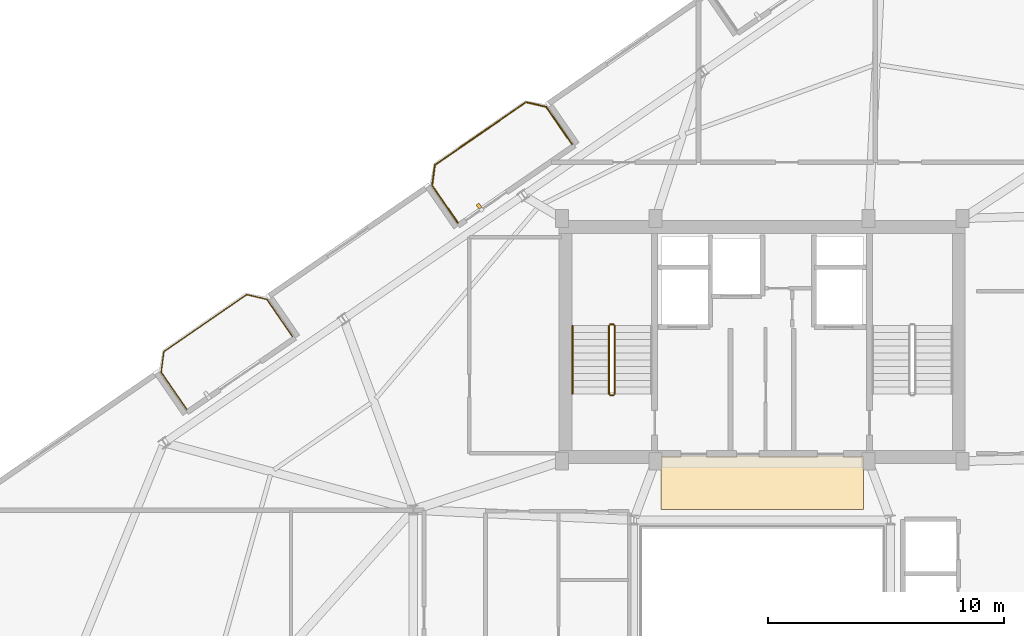
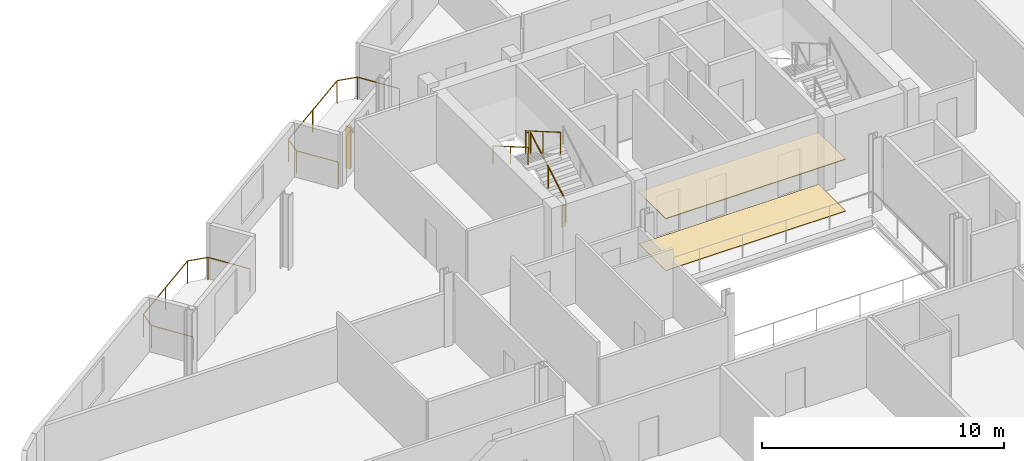
# One storey, part 20 of 21: 7 railings, 2 coverings, 1 shading device.
"""IFC4 building model written with IfcOpenShell, lengths in metres."""

from ifc_helpers import new_model, si_unit, direction, frame, origin, origin_2d, place, context, subcontext, project, spatial, rectangle, circle, extrude, source, transform, mapped, material, layer, layer_set, type_object, element, save


model = new_model("IFC4")

# Units and contexts
model_context = context("Model", 3, precision=1e-05, world=origin(), true_north=direction((0.0, 1.0)))
body_context = subcontext(model_context, "Body", "Model", "MODEL_VIEW")
ifc_project = project(units=[si_unit("LENGTHUNIT", "METRE"), si_unit("AREAUNIT", "SQUARE_METRE"), si_unit("VOLUMEUNIT", "CUBIC_METRE"), si_unit("PLANEANGLEUNIT", "RADIAN"), si_unit("MASSUNIT", "GRAM", prefix="KILO")], contexts=[model_context])

# Site, building, storey
site_placement = place(None, origin())
site = spatial("IfcSite", under=ifc_project, at=site_placement, CompositionType="ELEMENT")
building_placement = place(site_placement, origin())
building = spatial("IfcBuilding", under=site, at=building_placement, Name="Varnelok Gate Tower", CompositionType="ELEMENT")
storey_placement = place(building_placement, frame((0.0, 0.0, 261.89990234375)))
storey = spatial("IfcBuildingStorey", under=building, at=storey_placement, Name="L67", CompositionType="ELEMENT", Elevation=261.89990234375)

# Railings
ifc_material_1 = material(Name="Low-E Laminated Double Glazing IGU", Category="glass")
railing_type_1 = type_object("IfcRailingType", Name="RL-BALC-1150", PredefinedType="BALUSTRADE", material=ifc_material_1)
railing_1_placement = place(storey_placement, frame((14.781982421875, 30.944580078125, 0.0)))
element("IfcRailing", 1, at=railing_1_placement, inside=storey, type_object=railing_type_1, Name="L67 North Terrace Balustrade 4", PredefinedType="BALUSTRADE", context=body_context, shape_type="SweptSolid", body=[
    extrude(circle(Radius=0.02392578125, at=origin_2d()), frame((0.0, 0.0, 1.1259765625), z_axis=(-0.567284155424, 0.82352212296, 0.0), x_axis=(-0.82352212296, -0.567284155424, 0.0)), (0.0, 0.0, 1.0), 1.919921875),
    extrude(circle(Radius=0.02392578125, at=origin_2d()), frame((-1.089111328125, 1.5810546875, 1.1259765625), z_axis=(0.133475040405, 0.991052175008, 0.0), x_axis=(-0.991052175008, 0.133475040405, 0.0)), (0.0, 0.0, 1.0), 0.8779296875),
    extrude(circle(Radius=0.02392578125, at=origin_2d()), frame((-0.971923828125, 2.451171875, 1.1259765625), z_axis=(0.82355749358, 0.567232804735, 0.0), x_axis=(-0.567232804735, 0.82355749358, 0.0)), (0.0, 0.0, 1.0), 4.26708984375),
    extrude(circle(Radius=0.02392578125, at=origin_2d()), frame((2.542236328125, 4.87158203125, 1.1259765625), z_axis=(0.973511928193, -0.228636229993, 0.0), x_axis=(0.228636229993, 0.973511928193, 0.0)), (0.0, 0.0, 1.0), 0.877685546875),
    extrude(circle(Radius=0.02392578125, at=origin_2d()), frame((3.396728515625, 4.6708984375, 1.1259765625), z_axis=(0.567284155424, -0.82352212296, 0.0), x_axis=(0.82352212296, 0.567284155424, 0.0)), (0.0, 0.0, 1.0), 1.919921875),
    extrude(circle(Radius=0.02099609375, at=origin_2d()), origin(), (0.0, 0.0, 1.0), 1.101806640625),
    extrude(circle(Radius=0.02099609375, at=origin_2d()), frame((-1.089111328125, 1.5810546875, 0.0)), (0.0, 0.0, 1.0), 1.101806640625),
    extrude(circle(Radius=0.02099609375, at=origin_2d()), frame((-0.971923828125, 2.451171875, 0.0)), (0.0, 0.0, 1.0), 1.101806640625),
    extrude(circle(Radius=0.02099609375, at=origin_2d()), frame((0.78515625, 3.661376953125, 0.0)), (0.0, 0.0, 1.0), 1.101806640625),
    extrude(circle(Radius=0.02099609375, at=origin_2d()), frame((2.542236328125, 4.87158203125, 0.0)), (0.0, 0.0, 1.0), 1.101806640625),
    extrude(circle(Radius=0.02099609375, at=origin_2d()), frame((3.396728515625, 4.6708984375, 0.0)), (0.0, 0.0, 1.0), 1.101806640625),
    extrude(circle(Radius=0.02099609375, at=origin_2d()), frame((4.48583984375, 3.08984375, 0.0)), (0.0, 0.0, 1.0), 1.101806640625),
])
railing_2_placement = place(storey_placement, frame((26.2841796875, 38.86767578125, 0.0)))
element("IfcRailing", 2, at=railing_2_placement, inside=storey, type_object=railing_type_1, Name="L67 North Terrace Balustrade 5", PredefinedType="BALUSTRADE", context=body_context, shape_type="SweptSolid", body=[
    extrude(circle(Radius=0.02392578125, at=origin_2d()), frame((0.0, 0.0, 1.1259765625), z_axis=(-0.567197904061, 0.82358153065, 0.0), x_axis=(-0.82358153065, -0.567197904061, 0.0)), (0.0, 0.0, 1.0), 1.919677734375),
    extrude(circle(Radius=0.02392578125, at=origin_2d()), frame((-1.0888671875, 1.5810546875, 1.1259765625), z_axis=(0.133238627421, 0.991083986433, 0.0), x_axis=(-0.991083986433, 0.133238627421, 0.0)), (0.0, 0.0, 1.0), 0.877685546875),
    extrude(circle(Radius=0.02392578125, at=origin_2d()), frame((-0.971923828125, 2.450927734375, 1.1259765625), z_axis=(0.823523239622, 0.567282534371, 0.0), x_axis=(-0.567282534371, 0.823523239622, 0.0)), (0.0, 0.0, 1.0), 4.699951171875),
    extrude(circle(Radius=0.02392578125, at=origin_2d()), frame((2.898681640625, 5.1171875, 1.1259765625), z_axis=(0.973526462254, -0.228574336467, 0.0), x_axis=(0.228574336467, 0.973526462254, 0.0)), (0.0, 0.0, 1.0), 0.8779296875),
    extrude(circle(Radius=0.02392578125, at=origin_2d()), frame((3.75341796875, 4.91650390625, 1.1259765625), z_axis=(0.567284155424, -0.82352212296, 0.0), x_axis=(0.82352212296, 0.567284155424, 0.0)), (0.0, 0.0, 1.0), 1.919921875),
    extrude(circle(Radius=0.02099609375, at=origin_2d()), origin(), (0.0, 0.0, 1.0), 1.101806640625),
    extrude(circle(Radius=0.02099609375, at=origin_2d()), frame((-1.0888671875, 1.5810546875, 0.0)), (0.0, 0.0, 1.0), 1.101806640625),
    extrude(circle(Radius=0.02099609375, at=origin_2d()), frame((-0.971923828125, 2.450927734375, 0.0)), (0.0, 0.0, 1.0), 1.101806640625),
    extrude(circle(Radius=0.02099609375, at=origin_2d()), frame((0.96337890625, 3.7841796875, 0.0)), (0.0, 0.0, 1.0), 1.101806640625),
    extrude(circle(Radius=0.02099609375, at=origin_2d()), frame((2.898681640625, 5.1171875, 0.0)), (0.0, 0.0, 1.0), 1.101806640625),
    extrude(circle(Radius=0.02099609375, at=origin_2d()), frame((3.75341796875, 4.91650390625, 0.0)), (0.0, 0.0, 1.0), 1.101806640625),
    extrude(circle(Radius=0.02099609375, at=origin_2d()), frame((4.842529296875, 3.33544921875, 0.0)), (0.0, 0.0, 1.0), 1.101806640625),
])
ifc_material_2 = material(Name="Brushed Stainless Steel AISI 316", Category="steel")
railing_type_2 = type_object("IfcRailingType", Name="RL-HANDRAIL-900", PredefinedType="HANDRAIL", material=ifc_material_2)
railing_3_placement = place(storey_placement, frame((31.14990234375, 34.5, 2.018310546875)))
element("IfcRailing", 3, at=railing_3_placement, inside=storey, type_object=railing_type_2, Name="L67 ST-1 stair handrail 2", PredefinedType="HANDRAIL", context=body_context, shape_type="SweptSolid", body=[
    extrude(circle(Radius=0.02392578125, at=origin_2d()), frame((0.0, 0.0, 0.8759765625), z_axis=(0.0, -0.865038774852, 0.501705010941), x_axis=(1.0, 0.0, 0.0)), (0.0, 0.0, 1.0), 3.352294921875),
    extrude(circle(Radius=0.02099609375, at=origin_2d()), origin(), (0.0, 0.0, 1.0), 0.851806640625),
    extrude(circle(Radius=0.02099609375, at=origin_2d()), frame((0.0, -1.449951171875, 0.8408203125)), (0.0, 0.0, 1.0), 0.851806640625),
    extrude(circle(Radius=0.02099609375, at=origin_2d()), frame((0.0, -2.89990234375, 1.681884765625)), (0.0, 0.0, 1.0), 0.851806640625),
])
ifc_material_3 = material(Name="Galvanized Steel Grade S350GD", Category="steel")
railing_type_3 = type_object("IfcRailingType", Name="RL-STAIR-GUARD1120", PredefinedType="GUARDRAIL", material=ifc_material_3)
railing_4_placement = place(storey_placement, frame((32.949951171875, 31.60009765625, 0.168212890625)))
element("IfcRailing", 4, at=railing_4_placement, inside=storey, type_object=railing_type_3, Name="L67 ST-1 stair guard 1", PredefinedType="GUARDRAIL", context=body_context, shape_type="SweptSolid", body=[
    extrude(circle(Radius=0.02392578125, at=origin_2d()), frame((0.0, 0.0, 1.09619140625), z_axis=(0.0, 0.865038774852, 0.501705010941), x_axis=(-1.0, 0.0, 0.0)), (0.0, 0.0, 1.0), 3.352294921875),
    extrude(circle(Radius=0.02099609375, at=origin_2d()), origin(), (0.0, 0.0, 1.0), 1.072021484375),
    extrude(circle(Radius=0.02099609375, at=origin_2d()), frame((0.0, 1.449951171875, 0.8408203125)), (0.0, 0.0, 1.0), 1.072021484375),
    extrude(circle(Radius=0.02099609375, at=origin_2d()), frame((0.0, 2.89990234375, 1.681884765625)), (0.0, 0.0, 1.0), 1.072021484375),
])
railing_5_placement = place(storey_placement, frame((32.89990234375, 34.550048828125, 1.85009765625)))
element("IfcRailing", 5, at=railing_5_placement, inside=storey, type_object=railing_type_3, Name="L67 ST-1 stair guard 2", PredefinedType="GUARDRAIL", context=body_context, shape_type="SweptSolid", body=[
    extrude(circle(Radius=0.02392578125, at=origin_2d()), frame((0.0, 0.0, 1.09619140625), z_axis=(-1.0, 0.0, 0.0), x_axis=(0.0, -1.0, 0.0)), (0.0, 0.0, 1.0), 0.14990234375),
    extrude(circle(Radius=0.02099609375, at=origin_2d()), origin(), (0.0, 0.0, 1.0), 1.072021484375),
    extrude(circle(Radius=0.02099609375, at=origin_2d()), frame((-0.14990234375, 0.0, 0.0)), (0.0, 0.0, 1.0), 1.072021484375),
])
railing_6_placement = place(storey_placement, frame((32.699951171875, 34.5, 2.018310546875)))
element("IfcRailing", 6, at=railing_6_placement, inside=storey, type_object=railing_type_3, Name="L67 ST-1 stair guard 3", PredefinedType="GUARDRAIL", context=body_context, shape_type="SweptSolid", body=[
    extrude(circle(Radius=0.02392578125, at=origin_2d()), frame((0.0, 0.0, 1.09619140625), z_axis=(0.0, -0.865038774852, 0.501705010941), x_axis=(1.0, 0.0, 0.0)), (0.0, 0.0, 1.0), 3.352294921875),
    extrude(circle(Radius=0.02099609375, at=origin_2d()), origin(), (0.0, 0.0, 1.0), 1.072021484375),
    extrude(circle(Radius=0.02099609375, at=origin_2d()), frame((0.0, -1.449951171875, 0.8408203125)), (0.0, 0.0, 1.0), 1.072021484375),
    extrude(circle(Radius=0.02099609375, at=origin_2d()), frame((0.0, -2.89990234375, 1.681884765625)), (0.0, 0.0, 1.0), 1.072021484375),
])
railing_7_placement = place(storey_placement, frame((32.89990234375, 31.550048828125, 0.0)))
element("IfcRailing", 7, at=railing_7_placement, inside=storey, type_object=railing_type_3, Name="L67 ST-1 stair guard 4", PredefinedType="GUARDRAIL", context=body_context, shape_type="SweptSolid", body=[
    extrude(circle(Radius=0.02392578125, at=origin_2d()), frame((0.0, 0.0, 1.09619140625), z_axis=(-1.0, 0.0, 0.0), x_axis=(0.0, -1.0, 0.0)), (0.0, 0.0, 1.0), 0.14990234375),
    extrude(circle(Radius=0.02099609375, at=origin_2d()), origin(), (0.0, 0.0, 1.0), 1.072021484375),
    extrude(circle(Radius=0.02099609375, at=origin_2d()), frame((-0.14990234375, 0.0, 0.0)), (0.0, 0.0, 1.0), 1.072021484375),
])

# Shading device
ifc_material_4 = material(Name="Glazed Architectural Terracotta Ceramic", Category="masonry")
shading_device_type = type_object("IfcShadingDeviceType", Name="SHD-TERRA-FIN", PredefinedType="USERDEFINED", material=ifc_material_4)
shared_shape_1 = source(origin(), body_context, "Body", "SweptSolid", [
    extrude(rectangle(XDim=0.139892578125, YDim=0.219970703125, at=origin_2d()), origin(), (0.0, 0.0, 1.0), 2.10009765625),
])
shading_device_placement = place(storey_placement, frame((27.18359375, 39.572021484375, 0.10009765625), z_axis=(0.0, 0.0, 1.0), x_axis=(0.823532597628, 0.567268949127, 0.0)))
element("IfcShadingDevice", 8, at=shading_device_placement, inside=storey, type_object=shading_device_type, Name="L67 Terracotta Ceramic Baguette Sunscreen 5.1", ObjectType="BAGUETTE", PredefinedType="USERDEFINED", context=body_context, shape_type="MappedRepresentation", body=[
    mapped(shared_shape_1, transform((0.0, 0.0, 0.0), scale=1.0)),
])

# Coverings
ifc_material_5 = material(Name="Honed Travertine Stone Flooring", Category="masonry")
ifc_layer_1 = layer(ifc_material_5, 0.02490234375)
ifc_layer_set_1 = layer_set([ifc_layer_1], Name="Honed Travertine Stone Flooring")
covering_type_1 = type_object("IfcCoveringType", Name="COV-FLOR-STONE", PredefinedType="FLOORING", material=ifc_layer_set_1)
shared_shape_2 = source(origin(), body_context, "Body", "SweptSolid", [
    extrude(rectangle(XDim=8.60009765625, YDim=2.219970703125, at=origin_2d()), origin(), (0.0, 0.0, 1.0), 0.02490234375),
])
covering_1_placement = place(storey_placement, frame((39.199951171875, 27.800048828125, 0.000244140625), z_axis=(0.0, 0.0, 1.0), x_axis=(1.0, 0.0, 0.0)))
element("IfcCovering", 9, at=covering_1_placement, inside=storey, type_object=covering_type_1, Name="L67 Core Gallery Stone Flooring", PredefinedType="FLOORING", context=body_context, shape_type="MappedRepresentation", body=[
    mapped(shared_shape_2, transform((0.0, 0.0, 0.0), scale=1.0)),
])
ifc_material_6 = material(Name="Mineral Fiber Acoustic Ceiling Tile")
ifc_layer_2 = layer(ifc_material_6, 0.0400390625)
ifc_layer_set_2 = layer_set([ifc_layer_2], Name="Mineral Fiber Acoustic Ceiling Tile")
covering_type_2 = type_object("IfcCoveringType", Name="COV-CEIL-ACOUST", PredefinedType="CEILING", material=ifc_layer_set_2)
shared_shape_3 = source(origin(), body_context, "Body", "SweptSolid", [
    extrude(rectangle(XDim=8.60009765625, YDim=2.239990234375, at=origin_2d()), origin(), (0.0, 0.0, 1.0), 0.0400390625),
])
covering_2_placement = place(storey_placement, frame((39.199951171875, 27.820068359375, 2.60009765625), z_axis=(0.0, 0.0, 1.0), x_axis=(1.0, 0.0, 0.0)))
element("IfcCovering", 10, at=covering_2_placement, inside=storey, type_object=covering_type_2, Name="L67 Core Gallery Acoustic Ceiling", PredefinedType="CEILING", context=body_context, shape_type="MappedRepresentation", body=[
    mapped(shared_shape_3, transform((0.0, 0.0, 0.0), scale=1.0)),
])

save(model, "model.ifc")
